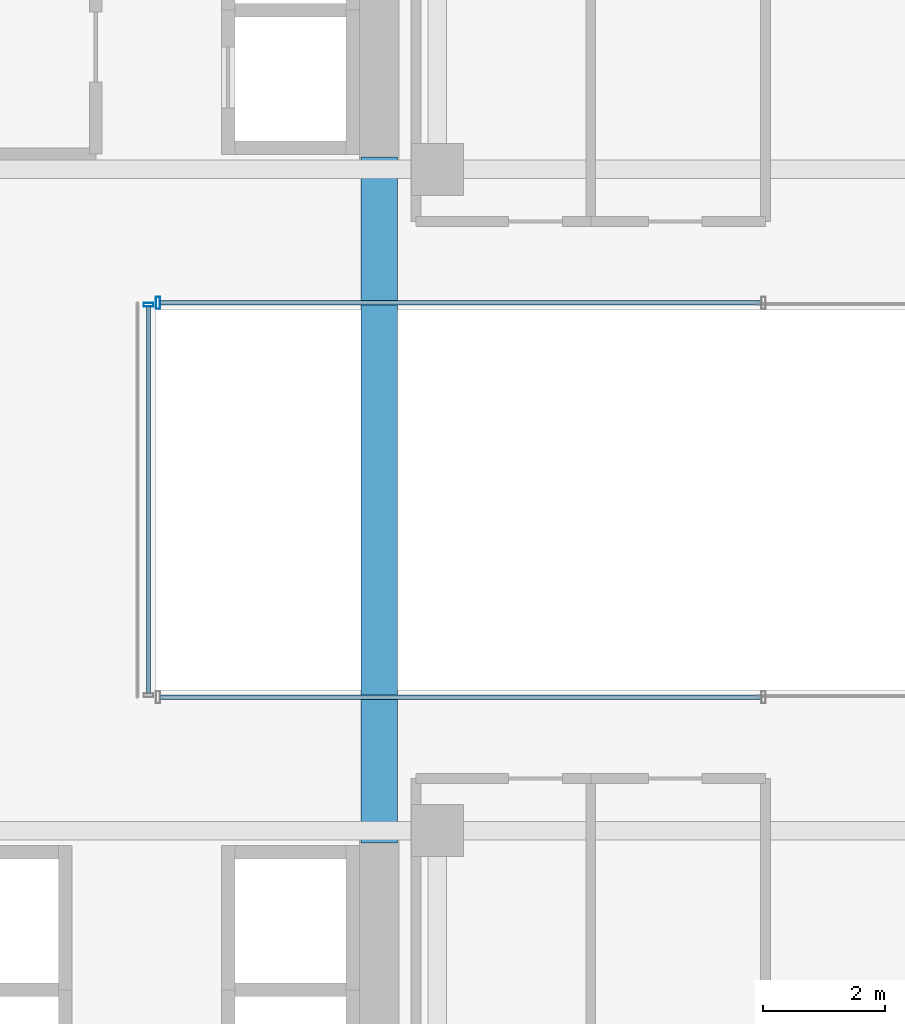
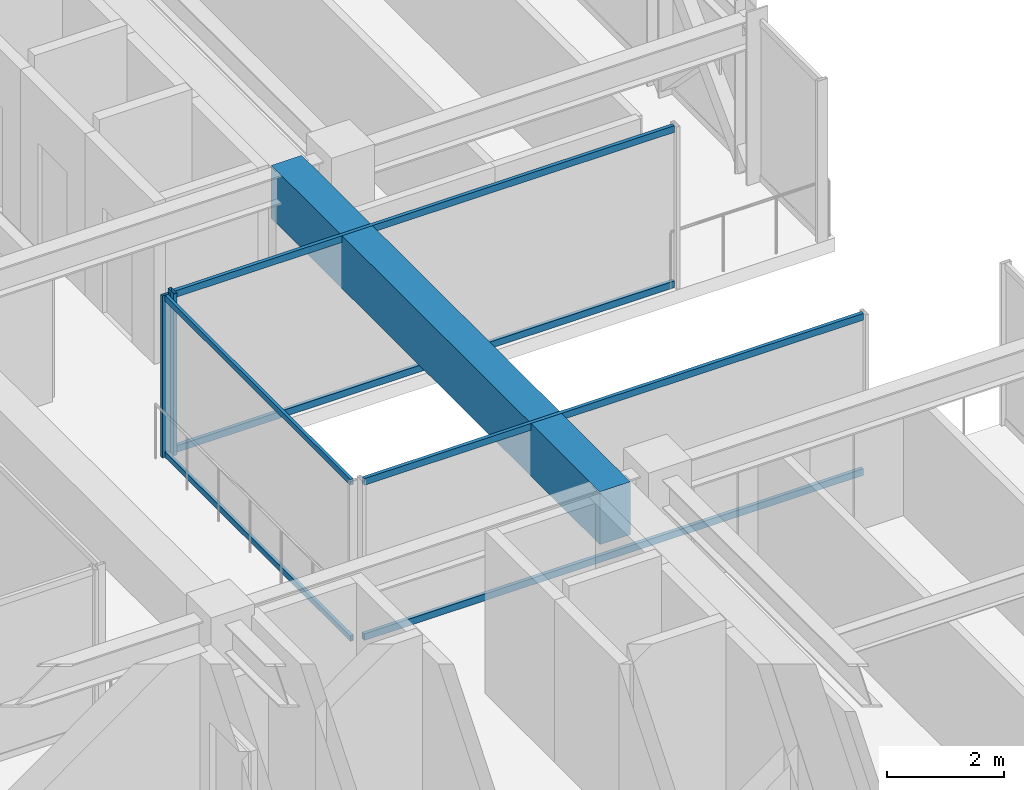
# One storey, part 17 of 37: 8 members, 1 beam, 3 elements without a shape of their own.
"""IFC4 building model written with IfcOpenShell, lengths in metres."""

from ifc_helpers import new_model, si_unit, direction, frame, origin, origin_2d, place, context, subcontext, project, spatial, rectangle, hollow_rectangle, extrude, source, transform, mapped, material, material_profile, profile_set, type_object, element, aggregate, save


model = new_model("IFC4")

# Units and contexts
model_context = context("Model", 3, precision=1e-05, world=origin(), true_north=direction((0.0, 1.0)))
body_context = subcontext(model_context, "Body", "Model", "MODEL_VIEW")
ifc_project = project(units=[si_unit("LENGTHUNIT", "METRE"), si_unit("AREAUNIT", "SQUARE_METRE"), si_unit("VOLUMEUNIT", "CUBIC_METRE"), si_unit("PLANEANGLEUNIT", "RADIAN"), si_unit("MASSUNIT", "GRAM", prefix="KILO")], contexts=[model_context])

# Site, building, storey
site_placement = place(None, origin())
site = spatial("IfcSite", under=ifc_project, at=site_placement, CompositionType="ELEMENT")
building_placement = place(site_placement, origin())
building = spatial("IfcBuilding", under=site, at=building_placement, Name="Nahalor Promenade Grand Hotel", CompositionType="ELEMENT")
storey_placement = place(building_placement, frame((0.0, 0.0, 65.25)))
storey = spatial("IfcBuildingStorey", under=building, at=storey_placement, Name="L15", CompositionType="ELEMENT", Elevation=65.25)

# Beam
ifc_material_1 = material(Name="Concrete B-60 (C50/60)", Category="concrete")
ifc_material_profile_1 = material_profile(ifc_material_1, rectangle(XDim=0.6, YDim=1.1, at=origin_2d()), Name="RC 600x1100")
ifc_profile_set_1 = profile_set([ifc_material_profile_1], Name="Concrete B-60 (C50/60)")
beam_type = type_object("IfcBeamType", Name="Beam-Lintel-RC1100", PredefinedType="LINTEL", material=ifc_profile_set_1)
shared_shape_1 = source(origin(), body_context, "Body", "SweptSolid", [
    extrude(rectangle(XDim=0.6, YDim=1.1, at=origin_2d()), origin(), (0.0, 0.0, 1.0), 11.2001953125),
])
beam_placement = place(storey_placement, frame((16.050048828125, -5.60009765625, 2.820068359375), z_axis=(0.0, 1.0, 0.0), x_axis=(-1.0, 0.0, 0.0)))
element("IfcBeam", 1, at=beam_placement, inside=storey, type_object=beam_type, Name="BM-L15-LINT-E", PredefinedType="LINTEL", context=body_context, shape_type="MappedRepresentation", body=[
    mapped(shared_shape_1, transform((0.0, 0.0, 0.0), scale=1.0)),
])

# Curtain wall, members
ifc_material_2 = material(Name="Anodised Bronze Aluminium EN AW-6063 T6", Category="aluminium")
curtain_wall_type_1 = type_object("IfcCurtainWallType", Name="CW3 Elliptical-Void Collar Unitised Curtain Wall", PredefinedType="USERDEFINED", material=ifc_material_2)
curtain_wall_1_placement = place(storey_placement, origin())
curtain_wall_1 = element("IfcCurtainWall", 2, at=curtain_wall_1_placement, inside=storey, type_object=curtain_wall_type_1, Name="L15 Curtain Wall CW-L15-VOID-ES1", ObjectType="UNITISED_CURTAIN_WALL", PredefinedType="USERDEFINED")
ifc_material_profile_2 = material_profile(ifc_material_2, hollow_rectangle(XDim=0.07, YDim=0.14, WallThickness=0.004, at=origin_2d()), Name="CWT 70x140x4")
ifc_profile_set_2 = profile_set([ifc_material_profile_2], Name="Anodised Bronze Aluminium EN AW-6063 T6")
member_type_1 = type_object("IfcMemberType", Name="CWT3 Void Collar Transom 70x140", PredefinedType="USERDEFINED", material=ifc_profile_set_2)
shared_shape_2 = source(origin(), body_context, "Body", "SweptSolid", [
    extrude(hollow_rectangle(XDim=0.07, YDim=0.14, WallThickness=0.004, at=origin_2d()), origin(), (0.0, 0.0, 1.0), 9.820068359375),
])
member_1_placement = place(storey_placement, frame((12.469970703125, -3.219970703125, 0.070068359375), z_axis=(1.0, 0.0, 0.0), x_axis=(0.0, 1.0, 0.0)))
member_1 = element("IfcMember", 3, at=member_1_placement, type_object=member_type_1, Name="CW-L15-VOID-ES1 Transom 0-0", ObjectType="TRANSOM", PredefinedType="USERDEFINED", context=body_context, shape_type="MappedRepresentation", body=[
    mapped(shared_shape_2, transform((0.0, 0.0, 0.0), scale=1.0)),
])
member_2_placement = place(storey_placement, frame((12.469970703125, -3.219970703125, 3.300048828125), z_axis=(1.0, 0.0, 0.0), x_axis=(0.0, 1.0, 0.0)))
member_2 = element("IfcMember", 4, at=member_2_placement, type_object=member_type_1, Name="CW-L15-VOID-ES1 Transom 0-1", ObjectType="TRANSOM", PredefinedType="USERDEFINED", context=body_context, shape_type="MappedRepresentation", body=[
    mapped(shared_shape_2, transform((0.0, 0.0, 0.0), scale=1.0)),
])
aggregate(curtain_wall_1, [member_1, member_2])

curtain_wall_2_placement = place(storey_placement, origin())
curtain_wall_2 = element("IfcCurtainWall", 5, at=curtain_wall_2_placement, inside=storey, type_object=curtain_wall_type_1, Name="L15 Curtain Wall CW-L15-VOID-EN1", ObjectType="UNITISED_CURTAIN_WALL", PredefinedType="USERDEFINED")
member_3_placement = place(storey_placement, frame((12.469970703125, 3.219970703125, 0.070068359375), z_axis=(1.0, 0.0, 0.0), x_axis=(0.0, 1.0, 0.0)))
member_3 = element("IfcMember", 6, at=member_3_placement, type_object=member_type_1, Name="CW-L15-VOID-EN1 Transom 0-0", ObjectType="TRANSOM", PredefinedType="USERDEFINED", context=body_context, shape_type="MappedRepresentation", body=[
    mapped(shared_shape_2, transform((0.0, 0.0, 0.0), scale=1.0)),
])
member_4_placement = place(storey_placement, frame((12.469970703125, 3.219970703125, 3.300048828125), z_axis=(1.0, 0.0, 0.0), x_axis=(0.0, 1.0, 0.0)))
member_4 = element("IfcMember", 7, at=member_4_placement, type_object=member_type_1, Name="CW-L15-VOID-EN1 Transom 0-1", ObjectType="TRANSOM", PredefinedType="USERDEFINED", context=body_context, shape_type="MappedRepresentation", body=[
    mapped(shared_shape_2, transform((0.0, 0.0, 0.0), scale=1.0)),
])
ifc_material_profile_3 = material_profile(ifc_material_2, hollow_rectangle(XDim=0.07, YDim=0.2, WallThickness=0.005, at=origin_2d()), Name="CWM 70x200x5")
ifc_profile_set_3 = profile_set([ifc_material_profile_3], Name="Anodised Bronze Aluminium EN AW-6063 T6")
member_type_2 = type_object("IfcMemberType", Name="CWM3 Void Collar Mullion 70x200", PredefinedType="MULLION", material=ifc_profile_set_3)
shared_shape_3 = source(origin(), body_context, "Body", "SweptSolid", [
    extrude(hollow_rectangle(XDim=0.07, YDim=0.2, WallThickness=0.005, at=origin_2d()), origin(), (0.0, 0.0, 1.0), 3.3701171875),
])
member_5_placement = place(storey_placement, frame((12.43505859375, 3.219970703125, 0.0), z_axis=(0.0, 0.0, 1.0), x_axis=(1.0, 0.0, 0.0)))
member_5 = element("IfcMember", 8, at=member_5_placement, type_object=member_type_2, Name="CW-L15-VOID-EN1 Mullion 0", PredefinedType="MULLION", context=body_context, shape_type="MappedRepresentation", body=[
    mapped(shared_shape_3, transform((0.0, 0.0, 0.0), scale=1.0)),
])
aggregate(curtain_wall_2, [member_5, member_3, member_4])

curtain_wall_type_2 = type_object("IfcCurtainWallType", Name="CW4 Low-Iron Sky-Gallery Bridge Curtain Wall", PredefinedType="USERDEFINED", material=ifc_material_2)
curtain_wall_3_placement = place(storey_placement, origin())
curtain_wall_3 = element("IfcCurtainWall", 9, at=curtain_wall_3_placement, inside=storey, type_object=curtain_wall_type_2, Name="L15 Curtain Wall CW-L15-BRG-E", ObjectType="UNITISED_CURTAIN_WALL", PredefinedType="USERDEFINED")
ifc_material_profile_4 = material_profile(ifc_material_2, hollow_rectangle(XDim=0.06, YDim=0.16, WallThickness=0.004, at=origin_2d()), Name="CWM 60x160x4")
ifc_profile_set_4 = profile_set([ifc_material_profile_4], Name="Anodised Bronze Aluminium EN AW-6063 T6")
member_type_3 = type_object("IfcMemberType", Name="CWM4 Sky-Gallery Slim Mullion 60x160", PredefinedType="MULLION", material=ifc_profile_set_4)
shared_shape_4 = source(origin(), body_context, "Body", "SweptSolid", [
    extrude(hollow_rectangle(XDim=0.06, YDim=0.16, WallThickness=0.004, at=origin_2d()), origin(), (0.0, 0.0, 1.0), 3.3701171875),
])
member_6_placement = place(storey_placement, frame((12.280029296875, 3.18994140625, 0.0), z_axis=(0.0, 0.0, 1.0), x_axis=(0.0, 1.0, 0.0)))
member_6 = element("IfcMember", 10, at=member_6_placement, type_object=member_type_3, Name="CW-L15-BRG-E Mullion 1", PredefinedType="MULLION", context=body_context, shape_type="MappedRepresentation", body=[
    mapped(shared_shape_4, transform((0.0, 0.0, 0.0), scale=1.0)),
])
ifc_material_profile_5 = material_profile(ifc_material_2, hollow_rectangle(XDim=0.06, YDim=0.12, WallThickness=0.004, at=origin_2d()), Name="CWT 60x120x4")
ifc_profile_set_5 = profile_set([ifc_material_profile_5], Name="Anodised Bronze Aluminium EN AW-6063 T6")
member_type_4 = type_object("IfcMemberType", Name="CWT4 Sky-Gallery Slim Transom 60x120", PredefinedType="USERDEFINED", material=ifc_profile_set_5)
shared_shape_5 = source(origin(), body_context, "Body", "SweptSolid", [
    extrude(hollow_rectangle(XDim=0.06, YDim=0.12, WallThickness=0.004, at=origin_2d()), origin(), (0.0, 0.0, 1.0), 6.31982421875),
])
member_7_placement = place(storey_placement, frame((12.280029296875, -3.159912109375, 0.06005859375), z_axis=(0.0, 1.0, 0.0), x_axis=(-1.0, 0.0, 0.0)))
member_7 = element("IfcMember", 11, at=member_7_placement, type_object=member_type_4, Name="CW-L15-BRG-E Transom 0-0", ObjectType="TRANSOM", PredefinedType="USERDEFINED", context=body_context, shape_type="MappedRepresentation", body=[
    mapped(shared_shape_5, transform((0.0, 0.0, 0.0), scale=1.0)),
])
member_8_placement = place(storey_placement, frame((12.280029296875, -3.159912109375, 3.31005859375), z_axis=(0.0, 1.0, 0.0), x_axis=(-1.0, 0.0, 0.0)))
member_8 = element("IfcMember", 12, at=member_8_placement, type_object=member_type_4, Name="CW-L15-BRG-E Transom 0-1", ObjectType="TRANSOM", PredefinedType="USERDEFINED", context=body_context, shape_type="MappedRepresentation", body=[
    mapped(shared_shape_5, transform((0.0, 0.0, 0.0), scale=1.0)),
])
aggregate(curtain_wall_3, [member_6, member_7, member_8])

save(model, "model.ifc")
